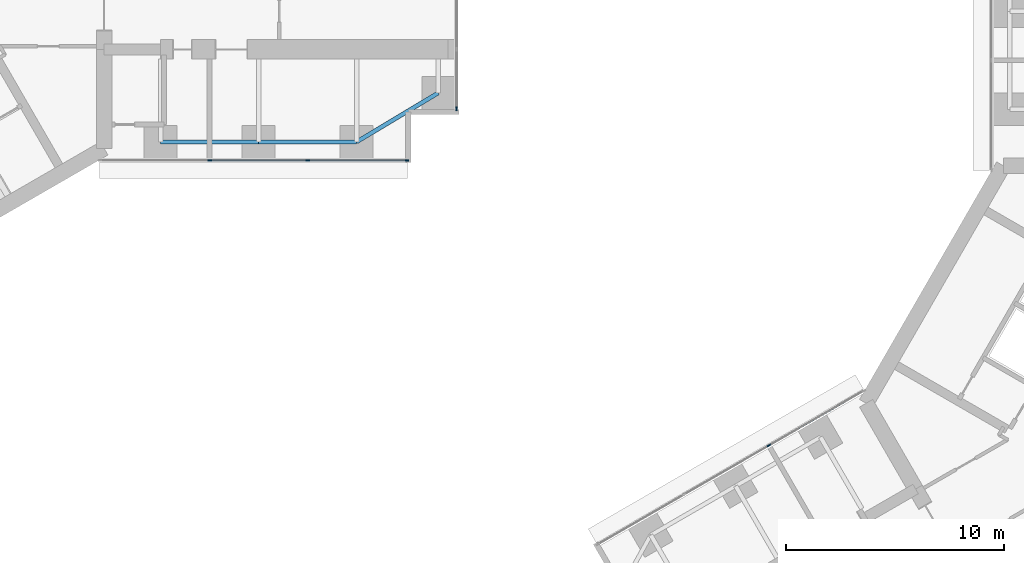
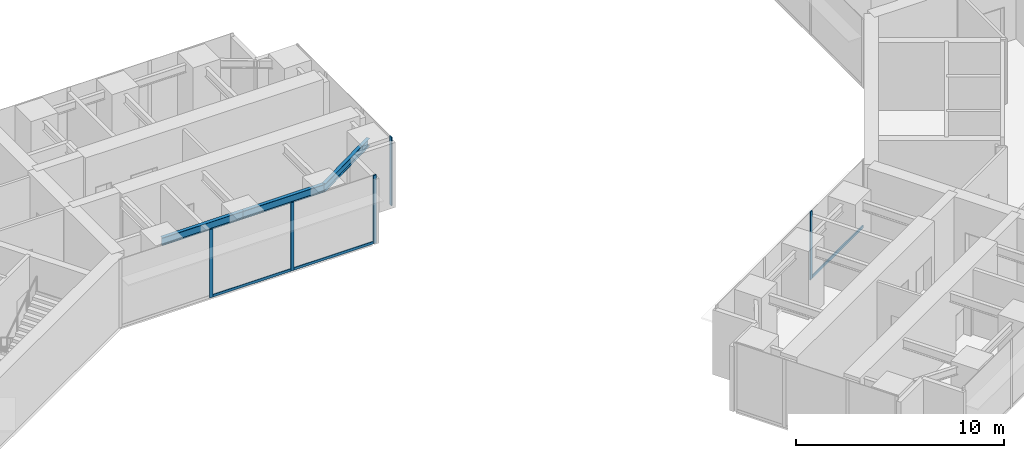
# One storey, part 5 of 23: 8 members, 3 beams, 3 elements without a shape of their own.
"""IFC4 building model written with IfcOpenShell, lengths in metres."""

from ifc_helpers import new_model, si_unit, direction, frame, origin, origin_2d, place, context, subcontext, project, spatial, rectangle, i_section, extrude, material, material_profile, profile_set, type_object, element, aggregate, save


model = new_model("IFC4")

# Units and contexts
model_context = context("Model", 3, precision=1e-05, world=origin(), true_north=direction((0.0, 1.0)))
body_context = subcontext(model_context, "Body", "Model", "MODEL_VIEW")
ifc_project = project(units=[si_unit("LENGTHUNIT", "METRE"), si_unit("AREAUNIT", "SQUARE_METRE"), si_unit("VOLUMEUNIT", "CUBIC_METRE"), si_unit("PLANEANGLEUNIT", "RADIAN"), si_unit("MASSUNIT", "GRAM", prefix="KILO")], contexts=[model_context])

# Site, building, storey
site_placement = place(None, origin())
site = spatial("IfcSite", under=ifc_project, at=site_placement, CompositionType="ELEMENT")
building_placement = place(site_placement, origin())
building = spatial("IfcBuilding", under=site, at=building_placement, Name="Upepo Twin Towers", CompositionType="ELEMENT")
storey_placement = place(building_placement, frame((0.0, 0.0, 24.5)))
storey = spatial("IfcBuildingStorey", under=building, at=storey_placement, Name="L05", CompositionType="ELEMENT", Elevation=24.5)

# Beams
ifc_material_1 = material(Name="Steel S355", Category="steel")
ifc_material_profile_1 = material_profile(ifc_material_1, i_section(OverallWidth=0.1904296875, OverallDepth=0.45703125, WebThickness=0.009033203125, FlangeThickness=0.014404296875, FilletRadius=0.01025390625, at=origin_2d()), Name="UB 457x191x74")
ifc_profile_set_1 = profile_set([ifc_material_profile_1], Name="Steel S355")
beam_type = type_object("IfcBeamType", Name="Beam UB 457x191x74", PredefinedType="BEAM", material=ifc_profile_set_1)
for number, where, z_axis, x_axis, name in (
    (1, (13.5, -6.0, 3.571533203125), (1.0, 0.0, 0.0), (0.0, 1.0, 0.0), "T1 edge beam AR 13.5-18.0"),
    (2, (18.0, -6.0, 3.571533203125), (1.0, 0.0, 0.0), (0.0, 1.0, 0.0), "T1 edge beam AR 18.0-22.5"),
):
    element("IfcBeam", number, at=place(storey_placement, frame(where, z_axis=z_axis, x_axis=x_axis)), inside=storey, type_object=beam_type, Name=name, PredefinedType="BEAM", context=body_context, shape_type="SweptSolid", body=[
        extrude(i_section(OverallWidth=0.1904296875, OverallDepth=0.45703125, WebThickness=0.009033203125, FlangeThickness=0.014404296875, FilletRadius=0.01025390625, at=origin_2d()), origin(), (0.0, 0.0, 1.0), 4.5),
    ])
beam_placement = place(storey_placement, frame((22.5, -6.0, 3.571533203125), z_axis=(0.857492925713, 0.514495755428, 0.0), x_axis=(-0.514495755428, 0.857492925713, 0.0)))
element("IfcBeam", 3, at=beam_placement, inside=storey, type_object=beam_type, Name="T1 nose edge beam AR", PredefinedType="BEAM", context=body_context, shape_type="SweptSolid", body=[
    extrude(i_section(OverallWidth=0.1904296875, OverallDepth=0.45703125, WebThickness=0.009033203125, FlangeThickness=0.014404296875, FilletRadius=0.01025390625, at=origin_2d()), origin(), (0.0, 0.0, 1.0), 4.373291015625),
])

# Curtain wall, members
ifc_material_2 = material(Name="Aluminium and fritted glass", Category="aluminium")
curtain_wall_type = type_object("IfcCurtainWallType", Name="Tower curtain wall TW1, fritted glass", PredefinedType="NOTDEFINED", material=ifc_material_2)
curtain_wall_1_placement = place(storey_placement, origin())
curtain_wall_1 = element("IfcCurtainWall", 4, at=curtain_wall_1_placement, inside=storey, type_object=curtain_wall_type, Name="T1 L05 wing A flank R curtain wall", PredefinedType="NOTDEFINED")
ifc_material_3 = material(Name="Aluminium mullion", Category="aluminium")
ifc_material_profile_2 = material_profile(ifc_material_3, rectangle(XDim=0.06494140625, YDim=0.179931640625, at=origin_2d()), Name="MULLION 65x180")
ifc_profile_set_2 = profile_set([ifc_material_profile_2], Name="Aluminium mullion")
member_type_1 = type_object("IfcMemberType", Name="Mullion 65x180 TW1", PredefinedType="MULLION", material=ifc_profile_set_2)
member_1_placement = place(storey_placement, frame((24.8173828125, -6.85009765625, 0.0), z_axis=(0.0, 0.0, 1.0), x_axis=(0.0, -1.0, 0.0)))
member_1 = element("IfcMember", 5, at=member_1_placement, type_object=member_type_1, Name="T1 L05 wing A flank R curtain wall mullion 1", PredefinedType="MULLION", context=body_context, shape_type="SweptSolid", body=[
    extrude(rectangle(XDim=0.06494140625, YDim=0.179931640625, at=origin_2d()), origin(), (0.0, 0.0, 1.0), 4.0),
])
member_2_placement = place(storey_placement, frame((20.25, -6.85009765625, 0.0), z_axis=(0.0, 0.0, 1.0), x_axis=(0.0, -1.0, 0.0)))
member_2 = element("IfcMember", 6, at=member_2_placement, type_object=member_type_1, Name="T1 L05 wing A flank R curtain wall mullion 2", PredefinedType="MULLION", context=body_context, shape_type="SweptSolid", body=[
    extrude(rectangle(XDim=0.06494140625, YDim=0.179931640625, at=origin_2d()), origin(), (0.0, 0.0, 1.0), 4.0),
])
member_3_placement = place(storey_placement, frame((15.75, -6.85009765625, 0.0), z_axis=(0.0, 0.0, 1.0), x_axis=(0.0, -1.0, 0.0)))
member_3 = element("IfcMember", 7, at=member_3_placement, type_object=member_type_1, Name="T1 L05 wing A flank R curtain wall mullion 3", PredefinedType="MULLION", context=body_context, shape_type="SweptSolid", body=[
    extrude(rectangle(XDim=0.06494140625, YDim=0.179931640625, at=origin_2d()), origin(), (0.0, 0.0, 1.0), 4.0),
])

# Curtain wall, member
curtain_wall_2_placement = place(storey_placement, origin())
curtain_wall_2 = element("IfcCurtainWall", 8, at=curtain_wall_2_placement, inside=storey, type_object=curtain_wall_type, Name="T1 L05 wing A nose curtain wall", PredefinedType="NOTDEFINED")
member_4_placement = place(storey_placement, frame((27.10009765625, -4.467529296875, 0.0), z_axis=(0.0, 0.0, 1.0), x_axis=(-1.0, 0.0, 0.0)))
member_4 = element("IfcMember", 9, at=member_4_placement, type_object=member_type_1, Name="T1 L05 wing A nose curtain wall mullion 1", PredefinedType="MULLION", context=body_context, shape_type="SweptSolid", body=[
    extrude(rectangle(XDim=0.06494140625, YDim=0.179931640625, at=origin_2d()), origin(), (0.0, 0.0, 1.0), 4.0),
])
aggregate(curtain_wall_2, [member_4])

curtain_wall_3_placement = place(storey_placement, origin())
curtain_wall_3 = element("IfcCurtainWall", 10, at=curtain_wall_3_placement, inside=storey, type_object=curtain_wall_type, Name="T2 L05 wing B flank R curtain wall", PredefinedType="NOTDEFINED")
member_5_placement = place(storey_placement, frame((41.43505859375, -19.942626953125, 0.0), z_axis=(0.0, 0.0, 1.0), x_axis=(-0.500000024426, 0.866025389682, 0.0)))
member_5 = element("IfcMember", 11, at=member_5_placement, type_object=member_type_1, Name="T2 L05 wing B flank R curtain wall mullion 3", PredefinedType="MULLION", context=body_context, shape_type="SweptSolid", body=[
    extrude(rectangle(XDim=0.06494140625, YDim=0.179931640625, at=origin_2d()), origin(), (0.0, 0.0, 1.0), 4.0),
])

# Member
ifc_material_4 = material(Name="Aluminium transom", Category="aluminium")
ifc_material_profile_3 = material_profile(ifc_material_4, rectangle(XDim=0.06494140625, YDim=0.14990234375, at=origin_2d()), Name="TRANSOM 65x150")
ifc_profile_set_3 = profile_set([ifc_material_profile_3], Name="Aluminium transom")
member_type_2 = type_object("IfcMemberType", Name="Transom 65x150 TW1", PredefinedType="USERDEFINED", material=ifc_profile_set_3)
member_6_placement = place(storey_placement, frame((24.784912109375, -6.85009765625, 0.074951171875), z_axis=(-1.0, 0.0, 0.0), x_axis=(0.0, -1.0, 0.0)))
member_6 = element("IfcMember", 12, at=member_6_placement, type_object=member_type_2, Name="T1 L05 wing A flank R curtain wall transom 1", ObjectType="TRANSOM", PredefinedType="USERDEFINED", context=body_context, shape_type="SweptSolid", body=[
    extrude(rectangle(XDim=0.06494140625, YDim=0.14990234375, at=origin_2d()), origin(), (0.0, 0.0, 1.0), 4.50244140625),
])

member_7_placement = place(storey_placement, frame((20.217529296875, -6.85009765625, 0.074951171875), z_axis=(-1.0, 0.0, 0.0), x_axis=(0.0, -1.0, 0.0)))
member_7 = element("IfcMember", 13, at=member_7_placement, type_object=member_type_2, Name="T1 L05 wing A flank R curtain wall transom 2", ObjectType="TRANSOM", PredefinedType="USERDEFINED", context=body_context, shape_type="SweptSolid", body=[
    extrude(rectangle(XDim=0.06494140625, YDim=0.14990234375, at=origin_2d()), origin(), (0.0, 0.0, 1.0), 4.43505859375),
])

aggregate(curtain_wall_1, [member_1, member_2, member_3, member_6, member_7])

member_8_placement = place(storey_placement, frame((41.463134765625, -19.926513671875, 0.074951171875), z_axis=(0.866034933967, 0.499983492876, 0.0), x_axis=(-0.499983492876, 0.866034933967, 0.0)))
member_8 = element("IfcMember", 14, at=member_8_placement, type_object=member_type_2, Name="T2 L05 wing B flank R curtain wall transom 3", ObjectType="TRANSOM", PredefinedType="USERDEFINED", context=body_context, shape_type="SweptSolid", body=[
    extrude(rectangle(XDim=0.06494140625, YDim=0.14990234375, at=origin_2d()), origin(), (0.0, 0.0, 1.0), 4.965576171875),
])

aggregate(curtain_wall_3, [member_5, member_8])

save(model, "model.ifc")
